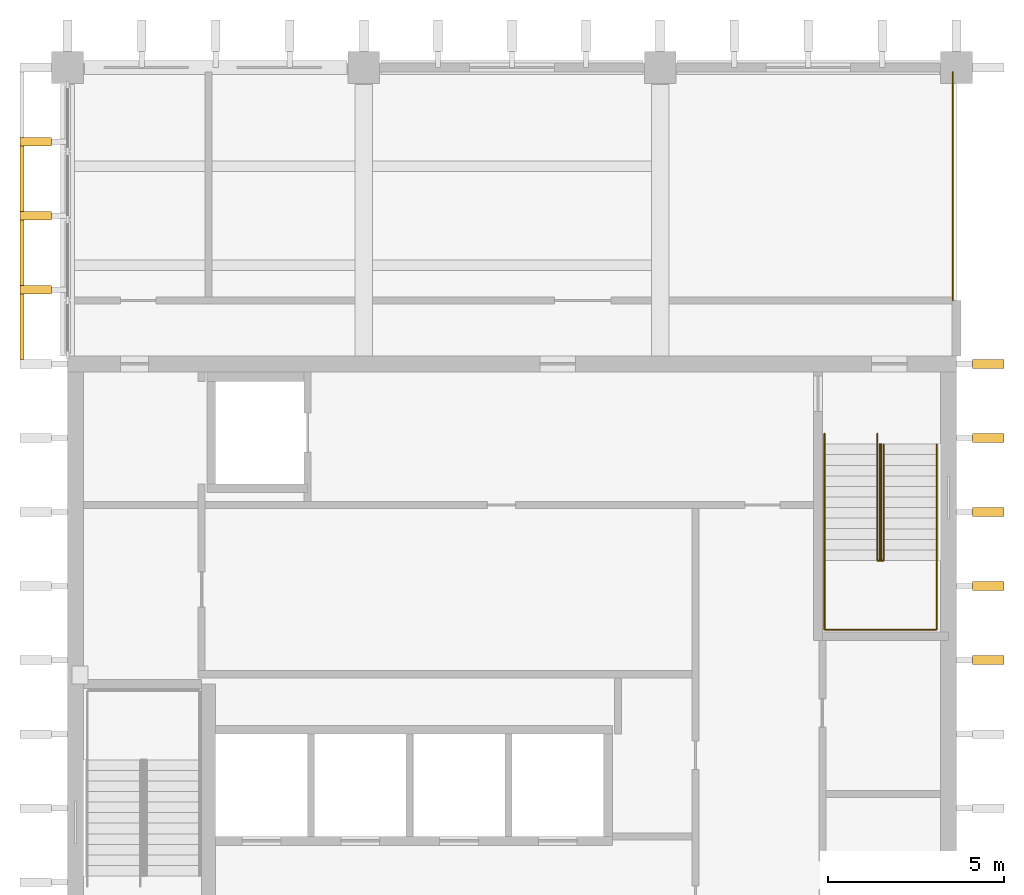
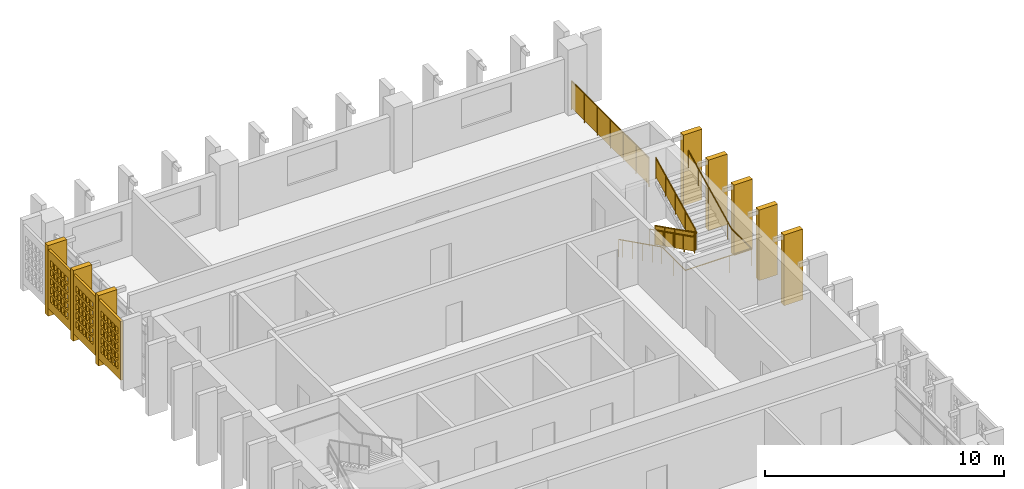
# One storey, part 11 of 13: 11 shading devices, 5 railings, 3 openings.
"""IFC4 building model written with IfcOpenShell, lengths in metres."""

from ifc_helpers import new_model, si_unit, direction, frame, origin, origin_2d, place, context, subcontext, project, spatial, polyline, rectangle, circle, outline, extrude, material, layer, layer_set, material_profile, profile_set, type_object, element, save


model = new_model("IFC4")

# Units and contexts
model_context = context("Model", 3, precision=1e-05, world=origin(), true_north=direction((0.0, 1.0)))
body_context = subcontext(model_context, "Body", "Model", "MODEL_VIEW")
ifc_project = project(units=[si_unit("LENGTHUNIT", "METRE"), si_unit("AREAUNIT", "SQUARE_METRE"), si_unit("VOLUMEUNIT", "CUBIC_METRE"), si_unit("PLANEANGLEUNIT", "RADIAN"), si_unit("MASSUNIT", "GRAM", prefix="KILO")], contexts=[model_context])

# Site, building, storey
site_placement = place(None, origin())
site = spatial("IfcSite", under=ifc_project, at=site_placement, CompositionType="ELEMENT")
building_placement = place(site_placement, origin())
building = spatial("IfcBuilding", under=site, at=building_placement, Name="Rulbaag Community and Learning Centre", CompositionType="ELEMENT")
storey_placement = place(building_placement, frame((0.0, 0.0, 25.199951171875)))
storey = spatial("IfcBuildingStorey", under=building, at=storey_placement, Name="L06", CompositionType="ELEMENT", Elevation=25.199951171875)

# Shading devices
ifc_material_1 = material(Name="Concrete M40", Category="concrete")
ifc_material_profile = material_profile(ifc_material_1, rectangle(XDim=0.25, YDim=0.89990234375, at=origin_2d()), Name="PC 250x900")
ifc_profile_set = profile_set([ifc_material_profile], Name="Concrete M40")
shading_device_type_1 = type_object("IfcShadingDeviceType", Name="FIN-H", PredefinedType="JALOUSIE", material=ifc_profile_set)
for number, where, z_axis, x_axis, name in (
    (1, (141.89990234375, 111.300048828125, 0.0), (0.0, 0.0, 1.0), (0.0, 1.0, 0.0), "Precast fin"),
    (2, (141.89990234375, 113.39990234375, 0.0), (0.0, 0.0, 1.0), (0.0, 1.0, 0.0), "Precast fin"),
    (3, (141.89990234375, 115.5, 0.0), (0.0, 0.0, 1.0), (0.0, 1.0, 0.0), "Precast fin"),
    (4, (168.89990234375, 100.800048828125, 0.0), (0.0, 0.0, 1.0), (0.0, 1.0, 0.0), "Precast fin"),
    (5, (168.89990234375, 102.89990234375, 0.0), (0.0, 0.0, 1.0), (0.0, 1.0, 0.0), "Precast fin"),
    (6, (168.89990234375, 105.0, 0.0), (0.0, 0.0, 1.0), (0.0, 1.0, 0.0), "Precast fin"),
    (7, (168.89990234375, 107.10009765625, 0.0), (0.0, 0.0, 1.0), (0.0, 1.0, 0.0), "Precast fin"),
    (8, (168.89990234375, 109.199951171875, 0.0), (0.0, 0.0, 1.0), (0.0, 1.0, 0.0), "Precast fin"),
):
    element("IfcShadingDevice", number, at=place(storey_placement, frame(where, z_axis=z_axis, x_axis=x_axis)), inside=storey, type_object=shading_device_type_1, Name=name, PredefinedType="JALOUSIE", context=body_context, shape_type="SweptSolid", body=[
        extrude(rectangle(XDim=0.25, YDim=0.89990234375, at=origin_2d()), origin(), (0.0, 0.0, 1.0), 3.60009765625),
    ])

# Railings
ifc_material_2 = material(Name="Galvanised mild steel", Category="steel")
railing_type_1 = type_object("IfcRailingType", Name="GR-1100 GUARD 1100", PredefinedType="GUARDRAIL", material=ifc_material_2)
railing_1_placement = place(storey_placement, frame((165.830078125, 106.925048828125, 0.150146484375)))
element("IfcRailing", 9, at=railing_1_placement, inside=storey, type_object=railing_type_1, Name="Guard ST2 L06 G", PredefinedType="GUARDRAIL", context=body_context, shape_type="SweptSolid", body=[
    extrude(circle(Radius=0.02490234375, at=origin_2d()), frame((0.0, 0.0, 1.0751953125), z_axis=(0.0, -0.894440424912, 0.447187126696), x_axis=(1.0, 0.0, 0.0)), (0.0, 0.0, 1.0), 3.689453125),
    extrude(circle(Radius=0.02001953125, at=origin_2d()), origin(), (0.0, 0.0, 1.0), 1.050048828125),
    extrude(circle(Radius=0.02001953125, at=origin_2d()), frame((0.0, -0.824951171875, 0.41259765625)), (0.0, 0.0, 1.0), 1.050048828125),
    extrude(circle(Radius=0.02001953125, at=origin_2d()), frame((0.0, -1.64990234375, 0.824951171875)), (0.0, 0.0, 1.0), 1.050048828125),
    extrude(circle(Radius=0.02001953125, at=origin_2d()), frame((0.0, -2.47509765625, 1.2373046875)), (0.0, 0.0, 1.0), 1.050048828125),
    extrude(circle(Radius=0.02001953125, at=origin_2d()), frame((0.0, -3.300048828125, 1.64990234375)), (0.0, 0.0, 1.0), 1.050048828125),
    extrude(outline(polyline([(0.0, 0.0), (3.300048828125, 1.64990234375), (3.300048828125, 2.599853515625), (0.0, 0.949951171875), (0.0, 0.0)])), frame((0.0048828125, 0.0, 0.10009765625), z_axis=(-1.0, 0.0, 0.0), x_axis=(0.0, -1.0, 0.0)), (0.0, 0.0, 1.0), 0.010009765625),
])
railing_2_placement = place(storey_placement, frame((165.8701171875, 103.625, 1.949951171875)))
element("IfcRailing", 10, at=railing_2_placement, inside=storey, type_object=railing_type_1, Name="Guard ST2 L06 G2", PredefinedType="GUARDRAIL", context=body_context, shape_type="SweptSolid", body=[
    extrude(circle(Radius=0.02490234375, at=origin_2d()), frame((0.0, 0.0, 1.0751953125), z_axis=(0.0, 0.894413956696, 0.447240063129), x_axis=(-1.0, 0.0, 0.0)), (0.0, 0.0, 1.0), 3.689697265625),
    extrude(circle(Radius=0.02001953125, at=origin_2d()), origin(), (0.0, 0.0, 1.0), 1.050048828125),
    extrude(circle(Radius=0.02001953125, at=origin_2d()), frame((0.0, 0.824951171875, 0.41259765625)), (0.0, 0.0, 1.0), 1.050048828125),
    extrude(circle(Radius=0.02001953125, at=origin_2d()), frame((0.0, 1.64990234375, 0.8251953125)), (0.0, 0.0, 1.0), 1.050048828125),
    extrude(circle(Radius=0.02001953125, at=origin_2d()), frame((0.0, 2.47509765625, 1.237548828125)), (0.0, 0.0, 1.0), 1.050048828125),
    extrude(circle(Radius=0.02001953125, at=origin_2d()), frame((0.0, 3.300048828125, 1.650146484375)), (0.0, 0.0, 1.0), 1.050048828125),
    extrude(outline(polyline([(0.0, 0.0), (3.300048828125, 1.650146484375), (3.300048828125, 2.60009765625), (0.0, 0.949951171875), (0.0, 0.0)])), frame((-0.0048828125, 0.0, 0.10009765625), z_axis=(1.0, 0.0, 0.0), x_axis=(0.0, 1.0, 0.0)), (0.0, 0.0, 1.0), 0.010009765625),
])
ifc_material_3 = material(Name="Stainless steel grade 316", Category="steel")
railing_type_2 = type_object("IfcRailingType", Name="HR-900 HANDRAIL 900", PredefinedType="HANDRAIL", material=ifc_material_3)
railing_3_placement = place(storey_placement, frame((164.260009765625, 107.22509765625, 0.0)))
element("IfcRailing", 11, at=railing_3_placement, inside=storey, type_object=railing_type_2, Name="Handrail ST2 L06 O", PredefinedType="HANDRAIL", context=body_context, shape_type="SweptSolid", body=[
    extrude(circle(Radius=0.024169921875, at=origin_2d()), frame((0.0, 0.0, 0.875732421875), z_axis=(0.0, -0.894281613681, 0.447504631744), x_axis=(1.0, 0.0, 0.0)), (0.0, 0.0, 1.0), 0.33544921875),
    extrude(circle(Radius=0.024169921875, at=origin_2d()), frame((0.0, -0.300048828125, 1.02587890625), z_axis=(0.0, -0.894440424912, 0.447187126696), x_axis=(1.0, 0.0, 0.0)), (0.0, 0.0, 1.0), 3.689453125),
    extrude(circle(Radius=0.024169921875, at=origin_2d()), frame((0.0, -3.60009765625, 2.67578125), z_axis=(0.0, -1.0, 0.0), x_axis=(1.0, 0.0, 0.0)), (0.0, 0.0, 1.0), 1.965087890625),
    extrude(circle(Radius=0.024169921875, at=origin_2d()), frame((0.0, -5.565185546875, 2.67578125), z_axis=(1.0, 0.0, 0.0), x_axis=(0.0, 1.0, 0.0)), (0.0, 0.0, 1.0), 3.179931640625),
    extrude(circle(Radius=0.024169921875, at=origin_2d()), frame((3.179931640625, -5.565185546875, 2.67578125), z_axis=(0.0, 1.0, 0.0), x_axis=(-1.0, 0.0, 0.0)), (0.0, 0.0, 1.0), 1.6650390625),
    extrude(circle(Radius=0.024169921875, at=origin_2d()), frame((3.179931640625, -3.900146484375, 2.67578125), z_axis=(0.0, 0.894572720946, 0.446922417137), x_axis=(-1.0, 0.0, 0.0)), (0.0, 0.0, 1.0), 0.33544921875),
    extrude(circle(Radius=0.024169921875, at=origin_2d()), frame((3.179931640625, -3.60009765625, 2.82568359375), z_axis=(0.0, 0.894413956696, 0.447240063129), x_axis=(-1.0, 0.0, 0.0)), (0.0, 0.0, 1.0), 3.689697265625),
    extrude(circle(Radius=0.008056640625, at=origin_2d()), origin(), (0.0, 0.0, 1.0), 0.8515625),
    extrude(circle(Radius=0.008056640625, at=origin_2d()), frame((0.0, -0.300048828125, 0.150146484375)), (0.0, 0.0, 1.0), 0.8515625),
    extrude(circle(Radius=0.008056640625, at=origin_2d()), frame((0.0, -1.125, 0.5625)), (0.0, 0.0, 1.0), 0.8515625),
    extrude(circle(Radius=0.008056640625, at=origin_2d()), frame((0.0, -1.9501953125, 0.97509765625)), (0.0, 0.0, 1.0), 0.8515625),
    extrude(circle(Radius=0.008056640625, at=origin_2d()), frame((0.0, -2.775146484375, 1.3876953125)), (0.0, 0.0, 1.0), 0.8515625),
    extrude(circle(Radius=0.008056640625, at=origin_2d()), frame((0.0, -3.60009765625, 1.800048828125)), (0.0, 0.0, 1.0), 0.8515625),
    extrude(circle(Radius=0.008056640625, at=origin_2d()), frame((0.0, -4.58251953125, 1.800048828125)), (0.0, 0.0, 1.0), 0.8515625),
    extrude(circle(Radius=0.008056640625, at=origin_2d()), frame((0.0, -5.565185546875, 1.800048828125)), (0.0, 0.0, 1.0), 0.8515625),
    extrude(circle(Radius=0.008056640625, at=origin_2d()), frame((1.06005859375, -5.565185546875, 1.800048828125)), (0.0, 0.0, 1.0), 0.8515625),
    extrude(circle(Radius=0.008056640625, at=origin_2d()), frame((2.119873046875, -5.565185546875, 1.800048828125)), (0.0, 0.0, 1.0), 0.8515625),
    extrude(circle(Radius=0.008056640625, at=origin_2d()), frame((3.179931640625, -5.565185546875, 1.800048828125)), (0.0, 0.0, 1.0), 0.8515625),
    extrude(circle(Radius=0.008056640625, at=origin_2d()), frame((3.179931640625, -4.732666015625, 1.800048828125)), (0.0, 0.0, 1.0), 0.8515625),
    extrude(circle(Radius=0.008056640625, at=origin_2d()), frame((3.179931640625, -3.900146484375, 1.800048828125)), (0.0, 0.0, 1.0), 0.8515625),
    extrude(circle(Radius=0.008056640625, at=origin_2d()), frame((3.179931640625, -3.60009765625, 1.949951171875)), (0.0, 0.0, 1.0), 0.8515625),
    extrude(circle(Radius=0.008056640625, at=origin_2d()), frame((3.179931640625, -2.775146484375, 2.362548828125)), (0.0, 0.0, 1.0), 0.8515625),
    extrude(circle(Radius=0.008056640625, at=origin_2d()), frame((3.179931640625, -1.9501953125, 2.77490234375)), (0.0, 0.0, 1.0), 0.8515625),
    extrude(circle(Radius=0.008056640625, at=origin_2d()), frame((3.179931640625, -1.125, 3.1875)), (0.0, 0.0, 1.0), 0.8515625),
    extrude(circle(Radius=0.008056640625, at=origin_2d()), frame((3.179931640625, -0.300048828125, 3.60009765625)), (0.0, 0.0, 1.0), 0.8515625),
])
railing_4_placement = place(storey_placement, frame((165.760009765625, 107.22509765625, 0.0)))
element("IfcRailing", 12, at=railing_4_placement, inside=storey, type_object=railing_type_2, Name="Handrail ST2 L06 I", PredefinedType="HANDRAIL", context=body_context, shape_type="SweptSolid", body=[
    extrude(circle(Radius=0.024169921875, at=origin_2d()), frame((0.0, 0.0, 0.875732421875), z_axis=(0.0, -0.894281613681, 0.447504631744), x_axis=(1.0, 0.0, 0.0)), (0.0, 0.0, 1.0), 0.33544921875),
    extrude(circle(Radius=0.024169921875, at=origin_2d()), frame((0.0, -0.300048828125, 1.02587890625), z_axis=(0.0, -0.894440424912, 0.447187126696), x_axis=(1.0, 0.0, 0.0)), (0.0, 0.0, 1.0), 3.689453125),
    extrude(circle(Radius=0.024169921875, at=origin_2d()), frame((0.0, -3.60009765625, 2.67578125), z_axis=(0.768306721819, 0.0, 0.640081855084), x_axis=(0.0, 1.0, 0.0)), (0.0, 0.0, 1.0), 0.234130859375),
    extrude(circle(Radius=0.024169921875, at=origin_2d()), frame((0.179931640625, -3.60009765625, 2.82568359375), z_axis=(0.0, 0.894413956696, 0.447240063129), x_axis=(-1.0, 0.0, 0.0)), (0.0, 0.0, 1.0), 3.689697265625),
    extrude(circle(Radius=0.008056640625, at=origin_2d()), origin(), (0.0, 0.0, 1.0), 0.8515625),
    extrude(circle(Radius=0.008056640625, at=origin_2d()), frame((0.0, -0.300048828125, 0.150146484375)), (0.0, 0.0, 1.0), 0.8515625),
    extrude(circle(Radius=0.008056640625, at=origin_2d()), frame((0.0, -1.125, 0.5625)), (0.0, 0.0, 1.0), 0.8515625),
    extrude(circle(Radius=0.008056640625, at=origin_2d()), frame((0.0, -1.9501953125, 0.97509765625)), (0.0, 0.0, 1.0), 0.8515625),
    extrude(circle(Radius=0.008056640625, at=origin_2d()), frame((0.0, -2.775146484375, 1.3876953125)), (0.0, 0.0, 1.0), 0.8515625),
    extrude(circle(Radius=0.008056640625, at=origin_2d()), frame((0.0, -3.60009765625, 1.800048828125)), (0.0, 0.0, 1.0), 0.8515625),
    extrude(circle(Radius=0.008056640625, at=origin_2d()), frame((0.179931640625, -3.60009765625, 1.949951171875)), (0.0, 0.0, 1.0), 0.8515625),
    extrude(circle(Radius=0.008056640625, at=origin_2d()), frame((0.179931640625, -2.775146484375, 2.362548828125)), (0.0, 0.0, 1.0), 0.8515625),
    extrude(circle(Radius=0.008056640625, at=origin_2d()), frame((0.179931640625, -1.9501953125, 2.77490234375)), (0.0, 0.0, 1.0), 0.8515625),
    extrude(circle(Radius=0.008056640625, at=origin_2d()), frame((0.179931640625, -1.125, 3.1875)), (0.0, 0.0, 1.0), 0.8515625),
    extrude(circle(Radius=0.008056640625, at=origin_2d()), frame((0.179931640625, -0.300048828125, 3.60009765625)), (0.0, 0.0, 1.0), 0.8515625),
])

# Shading device, opening
ifc_layer = layer(ifc_material_1, 0.1201171875)
ifc_layer_set = layer_set([ifc_layer], Name="JB-83")
shading_device_type_2 = type_object("IfcShadingDeviceType", Name="JB-83", PredefinedType="SHUTTER", material=ifc_layer_set)
shading_device_1_placement = place(storey_placement, frame((141.510009765625, 110.25, 0.400146484375), z_axis=(0.0, 0.0, 1.0), x_axis=(1.0, 0.0, 0.0)))
shading_device_1 = element("IfcShadingDevice", 13, at=shading_device_1_placement, inside=storey, type_object=shading_device_type_2, Name="Jaali screen", PredefinedType="SHUTTER", context=body_context, shape_type="SweptSolid", body=[
    extrude(rectangle(XDim=0.1201171875, YDim=1.85009765625, at=origin_2d()), origin(), (0.0, 0.0, 1.0), 3.0),
])
opening_1_placement = place(shading_device_1_placement, origin())
element("IfcOpeningElement", 14, at=opening_1_placement, cuts=shading_device_1, Name="Perforation JB1", PredefinedType="OPENING", context=body_context, shape_type="SweptSolid", body=[
    extrude(rectangle(XDim=0.22509765625, YDim=0.340087890625, at=origin_2d()), frame((-0.070068359375, -0.60009765625, 0.60009765625), z_axis=(1.0, 0.0, 0.0), x_axis=(0.0, 1.0, 0.0)), (0.0, 0.0, 1.0), 0.139892578125),
    extrude(rectangle(XDim=0.22509765625, YDim=0.340087890625, at=origin_2d()), frame((-0.070068359375, -0.300048828125, 0.60009765625), z_axis=(1.0, 0.0, 0.0), x_axis=(0.0, 1.0, 0.0)), (0.0, 0.0, 1.0), 0.139892578125),
    extrude(rectangle(XDim=0.22509765625, YDim=0.340087890625, at=origin_2d()), frame((-0.070068359375, 0.0, 0.60009765625), z_axis=(1.0, 0.0, 0.0), x_axis=(0.0, 1.0, 0.0)), (0.0, 0.0, 1.0), 0.139892578125),
    extrude(rectangle(XDim=0.22509765625, YDim=0.340087890625, at=origin_2d()), frame((-0.070068359375, 0.300048828125, 0.60009765625), z_axis=(1.0, 0.0, 0.0), x_axis=(0.0, 1.0, 0.0)), (0.0, 0.0, 1.0), 0.139892578125),
    extrude(rectangle(XDim=0.22509765625, YDim=0.340087890625, at=origin_2d()), frame((-0.070068359375, 0.60009765625, 0.60009765625), z_axis=(1.0, 0.0, 0.0), x_axis=(0.0, 1.0, 0.0)), (0.0, 0.0, 1.0), 0.139892578125),
    extrude(rectangle(XDim=0.22509765625, YDim=0.340087890625, at=origin_2d()), frame((-0.070068359375, -0.60009765625, 1.050048828125), z_axis=(1.0, 0.0, 0.0), x_axis=(0.0, 1.0, 0.0)), (0.0, 0.0, 1.0), 0.139892578125),
    extrude(rectangle(XDim=0.22509765625, YDim=0.340087890625, at=origin_2d()), frame((-0.070068359375, -0.300048828125, 1.050048828125), z_axis=(1.0, 0.0, 0.0), x_axis=(0.0, 1.0, 0.0)), (0.0, 0.0, 1.0), 0.139892578125),
    extrude(rectangle(XDim=0.22509765625, YDim=0.340087890625, at=origin_2d()), frame((-0.070068359375, 0.0, 1.050048828125), z_axis=(1.0, 0.0, 0.0), x_axis=(0.0, 1.0, 0.0)), (0.0, 0.0, 1.0), 0.139892578125),
    extrude(rectangle(XDim=0.22509765625, YDim=0.340087890625, at=origin_2d()), frame((-0.070068359375, 0.300048828125, 1.050048828125), z_axis=(1.0, 0.0, 0.0), x_axis=(0.0, 1.0, 0.0)), (0.0, 0.0, 1.0), 0.139892578125),
    extrude(rectangle(XDim=0.22509765625, YDim=0.340087890625, at=origin_2d()), frame((-0.070068359375, 0.60009765625, 1.050048828125), z_axis=(1.0, 0.0, 0.0), x_axis=(0.0, 1.0, 0.0)), (0.0, 0.0, 1.0), 0.139892578125),
    extrude(rectangle(XDim=0.22509765625, YDim=0.340087890625, at=origin_2d()), frame((-0.070068359375, -0.60009765625, 1.5), z_axis=(1.0, 0.0, 0.0), x_axis=(0.0, 1.0, 0.0)), (0.0, 0.0, 1.0), 0.139892578125),
    extrude(rectangle(XDim=0.22509765625, YDim=0.340087890625, at=origin_2d()), frame((-0.070068359375, -0.300048828125, 1.5), z_axis=(1.0, 0.0, 0.0), x_axis=(0.0, 1.0, 0.0)), (0.0, 0.0, 1.0), 0.139892578125),
    extrude(rectangle(XDim=0.22509765625, YDim=0.340087890625, at=origin_2d()), frame((-0.070068359375, 0.0, 1.5), z_axis=(1.0, 0.0, 0.0), x_axis=(0.0, 1.0, 0.0)), (0.0, 0.0, 1.0), 0.139892578125),
    extrude(rectangle(XDim=0.22509765625, YDim=0.340087890625, at=origin_2d()), frame((-0.070068359375, 0.300048828125, 1.5), z_axis=(1.0, 0.0, 0.0), x_axis=(0.0, 1.0, 0.0)), (0.0, 0.0, 1.0), 0.139892578125),
    extrude(rectangle(XDim=0.22509765625, YDim=0.340087890625, at=origin_2d()), frame((-0.070068359375, 0.60009765625, 1.5), z_axis=(1.0, 0.0, 0.0), x_axis=(0.0, 1.0, 0.0)), (0.0, 0.0, 1.0), 0.139892578125),
    extrude(rectangle(XDim=0.22509765625, YDim=0.340087890625, at=origin_2d()), frame((-0.070068359375, -0.60009765625, 1.949951171875), z_axis=(1.0, 0.0, 0.0), x_axis=(0.0, 1.0, 0.0)), (0.0, 0.0, 1.0), 0.139892578125),
    extrude(rectangle(XDim=0.22509765625, YDim=0.340087890625, at=origin_2d()), frame((-0.070068359375, -0.300048828125, 1.949951171875), z_axis=(1.0, 0.0, 0.0), x_axis=(0.0, 1.0, 0.0)), (0.0, 0.0, 1.0), 0.139892578125),
    extrude(rectangle(XDim=0.22509765625, YDim=0.340087890625, at=origin_2d()), frame((-0.070068359375, 0.0, 1.949951171875), z_axis=(1.0, 0.0, 0.0), x_axis=(0.0, 1.0, 0.0)), (0.0, 0.0, 1.0), 0.139892578125),
    extrude(rectangle(XDim=0.22509765625, YDim=0.340087890625, at=origin_2d()), frame((-0.070068359375, 0.300048828125, 1.949951171875), z_axis=(1.0, 0.0, 0.0), x_axis=(0.0, 1.0, 0.0)), (0.0, 0.0, 1.0), 0.139892578125),
    extrude(rectangle(XDim=0.22509765625, YDim=0.340087890625, at=origin_2d()), frame((-0.070068359375, 0.60009765625, 1.949951171875), z_axis=(1.0, 0.0, 0.0), x_axis=(0.0, 1.0, 0.0)), (0.0, 0.0, 1.0), 0.139892578125),
    extrude(rectangle(XDim=0.22509765625, YDim=0.340087890625, at=origin_2d()), frame((-0.070068359375, -0.60009765625, 2.39990234375), z_axis=(1.0, 0.0, 0.0), x_axis=(0.0, 1.0, 0.0)), (0.0, 0.0, 1.0), 0.139892578125),
    extrude(rectangle(XDim=0.22509765625, YDim=0.340087890625, at=origin_2d()), frame((-0.070068359375, -0.300048828125, 2.39990234375), z_axis=(1.0, 0.0, 0.0), x_axis=(0.0, 1.0, 0.0)), (0.0, 0.0, 1.0), 0.139892578125),
    extrude(rectangle(XDim=0.22509765625, YDim=0.340087890625, at=origin_2d()), frame((-0.070068359375, 0.0, 2.39990234375), z_axis=(1.0, 0.0, 0.0), x_axis=(0.0, 1.0, 0.0)), (0.0, 0.0, 1.0), 0.139892578125),
    extrude(rectangle(XDim=0.22509765625, YDim=0.340087890625, at=origin_2d()), frame((-0.070068359375, 0.300048828125, 2.39990234375), z_axis=(1.0, 0.0, 0.0), x_axis=(0.0, 1.0, 0.0)), (0.0, 0.0, 1.0), 0.139892578125),
    extrude(rectangle(XDim=0.22509765625, YDim=0.340087890625, at=origin_2d()), frame((-0.070068359375, 0.60009765625, 2.39990234375), z_axis=(1.0, 0.0, 0.0), x_axis=(0.0, 1.0, 0.0)), (0.0, 0.0, 1.0), 0.139892578125),
])

shading_device_2_placement = place(storey_placement, frame((141.510009765625, 112.35009765625, 0.400146484375), z_axis=(0.0, 0.0, 1.0), x_axis=(1.0, 0.0, 0.0)))
shading_device_2 = element("IfcShadingDevice", 15, at=shading_device_2_placement, inside=storey, type_object=shading_device_type_2, Name="Jaali screen", PredefinedType="SHUTTER", context=body_context, shape_type="SweptSolid", body=[
    extrude(rectangle(XDim=0.1201171875, YDim=1.85009765625, at=origin_2d()), origin(), (0.0, 0.0, 1.0), 3.0),
])
opening_2_placement = place(shading_device_2_placement, origin())
element("IfcOpeningElement", 16, at=opening_2_placement, cuts=shading_device_2, Name="Perforation JB1", PredefinedType="OPENING", context=body_context, shape_type="SweptSolid", body=[
    extrude(rectangle(XDim=0.22509765625, YDim=0.340087890625, at=origin_2d()), frame((-0.070068359375, -0.60009765625, 0.60009765625), z_axis=(1.0, 0.0, 0.0), x_axis=(0.0, 1.0, 0.0)), (0.0, 0.0, 1.0), 0.139892578125),
    extrude(rectangle(XDim=0.22509765625, YDim=0.340087890625, at=origin_2d()), frame((-0.070068359375, -0.300048828125, 0.60009765625), z_axis=(1.0, 0.0, 0.0), x_axis=(0.0, 1.0, 0.0)), (0.0, 0.0, 1.0), 0.139892578125),
    extrude(rectangle(XDim=0.22509765625, YDim=0.340087890625, at=origin_2d()), frame((-0.070068359375, 0.0, 0.60009765625), z_axis=(1.0, 0.0, 0.0), x_axis=(0.0, 1.0, 0.0)), (0.0, 0.0, 1.0), 0.139892578125),
    extrude(rectangle(XDim=0.22509765625, YDim=0.340087890625, at=origin_2d()), frame((-0.070068359375, 0.300048828125, 0.60009765625), z_axis=(1.0, 0.0, 0.0), x_axis=(0.0, 1.0, 0.0)), (0.0, 0.0, 1.0), 0.139892578125),
    extrude(rectangle(XDim=0.22509765625, YDim=0.340087890625, at=origin_2d()), frame((-0.070068359375, 0.60009765625, 0.60009765625), z_axis=(1.0, 0.0, 0.0), x_axis=(0.0, 1.0, 0.0)), (0.0, 0.0, 1.0), 0.139892578125),
    extrude(rectangle(XDim=0.22509765625, YDim=0.340087890625, at=origin_2d()), frame((-0.070068359375, -0.60009765625, 1.050048828125), z_axis=(1.0, 0.0, 0.0), x_axis=(0.0, 1.0, 0.0)), (0.0, 0.0, 1.0), 0.139892578125),
    extrude(rectangle(XDim=0.22509765625, YDim=0.340087890625, at=origin_2d()), frame((-0.070068359375, -0.300048828125, 1.050048828125), z_axis=(1.0, 0.0, 0.0), x_axis=(0.0, 1.0, 0.0)), (0.0, 0.0, 1.0), 0.139892578125),
    extrude(rectangle(XDim=0.22509765625, YDim=0.340087890625, at=origin_2d()), frame((-0.070068359375, 0.0, 1.050048828125), z_axis=(1.0, 0.0, 0.0), x_axis=(0.0, 1.0, 0.0)), (0.0, 0.0, 1.0), 0.139892578125),
    extrude(rectangle(XDim=0.22509765625, YDim=0.340087890625, at=origin_2d()), frame((-0.070068359375, 0.300048828125, 1.050048828125), z_axis=(1.0, 0.0, 0.0), x_axis=(0.0, 1.0, 0.0)), (0.0, 0.0, 1.0), 0.139892578125),
    extrude(rectangle(XDim=0.22509765625, YDim=0.340087890625, at=origin_2d()), frame((-0.070068359375, 0.60009765625, 1.050048828125), z_axis=(1.0, 0.0, 0.0), x_axis=(0.0, 1.0, 0.0)), (0.0, 0.0, 1.0), 0.139892578125),
    extrude(rectangle(XDim=0.22509765625, YDim=0.340087890625, at=origin_2d()), frame((-0.070068359375, -0.60009765625, 1.5), z_axis=(1.0, 0.0, 0.0), x_axis=(0.0, 1.0, 0.0)), (0.0, 0.0, 1.0), 0.139892578125),
    extrude(rectangle(XDim=0.22509765625, YDim=0.340087890625, at=origin_2d()), frame((-0.070068359375, -0.300048828125, 1.5), z_axis=(1.0, 0.0, 0.0), x_axis=(0.0, 1.0, 0.0)), (0.0, 0.0, 1.0), 0.139892578125),
    extrude(rectangle(XDim=0.22509765625, YDim=0.340087890625, at=origin_2d()), frame((-0.070068359375, 0.0, 1.5), z_axis=(1.0, 0.0, 0.0), x_axis=(0.0, 1.0, 0.0)), (0.0, 0.0, 1.0), 0.139892578125),
    extrude(rectangle(XDim=0.22509765625, YDim=0.340087890625, at=origin_2d()), frame((-0.070068359375, 0.300048828125, 1.5), z_axis=(1.0, 0.0, 0.0), x_axis=(0.0, 1.0, 0.0)), (0.0, 0.0, 1.0), 0.139892578125),
    extrude(rectangle(XDim=0.22509765625, YDim=0.340087890625, at=origin_2d()), frame((-0.070068359375, 0.60009765625, 1.5), z_axis=(1.0, 0.0, 0.0), x_axis=(0.0, 1.0, 0.0)), (0.0, 0.0, 1.0), 0.139892578125),
    extrude(rectangle(XDim=0.22509765625, YDim=0.340087890625, at=origin_2d()), frame((-0.070068359375, -0.60009765625, 1.949951171875), z_axis=(1.0, 0.0, 0.0), x_axis=(0.0, 1.0, 0.0)), (0.0, 0.0, 1.0), 0.139892578125),
    extrude(rectangle(XDim=0.22509765625, YDim=0.340087890625, at=origin_2d()), frame((-0.070068359375, -0.300048828125, 1.949951171875), z_axis=(1.0, 0.0, 0.0), x_axis=(0.0, 1.0, 0.0)), (0.0, 0.0, 1.0), 0.139892578125),
    extrude(rectangle(XDim=0.22509765625, YDim=0.340087890625, at=origin_2d()), frame((-0.070068359375, 0.0, 1.949951171875), z_axis=(1.0, 0.0, 0.0), x_axis=(0.0, 1.0, 0.0)), (0.0, 0.0, 1.0), 0.139892578125),
    extrude(rectangle(XDim=0.22509765625, YDim=0.340087890625, at=origin_2d()), frame((-0.070068359375, 0.300048828125, 1.949951171875), z_axis=(1.0, 0.0, 0.0), x_axis=(0.0, 1.0, 0.0)), (0.0, 0.0, 1.0), 0.139892578125),
    extrude(rectangle(XDim=0.22509765625, YDim=0.340087890625, at=origin_2d()), frame((-0.070068359375, 0.60009765625, 1.949951171875), z_axis=(1.0, 0.0, 0.0), x_axis=(0.0, 1.0, 0.0)), (0.0, 0.0, 1.0), 0.139892578125),
    extrude(rectangle(XDim=0.22509765625, YDim=0.340087890625, at=origin_2d()), frame((-0.070068359375, -0.60009765625, 2.39990234375), z_axis=(1.0, 0.0, 0.0), x_axis=(0.0, 1.0, 0.0)), (0.0, 0.0, 1.0), 0.139892578125),
    extrude(rectangle(XDim=0.22509765625, YDim=0.340087890625, at=origin_2d()), frame((-0.070068359375, -0.300048828125, 2.39990234375), z_axis=(1.0, 0.0, 0.0), x_axis=(0.0, 1.0, 0.0)), (0.0, 0.0, 1.0), 0.139892578125),
    extrude(rectangle(XDim=0.22509765625, YDim=0.340087890625, at=origin_2d()), frame((-0.070068359375, 0.0, 2.39990234375), z_axis=(1.0, 0.0, 0.0), x_axis=(0.0, 1.0, 0.0)), (0.0, 0.0, 1.0), 0.139892578125),
    extrude(rectangle(XDim=0.22509765625, YDim=0.340087890625, at=origin_2d()), frame((-0.070068359375, 0.300048828125, 2.39990234375), z_axis=(1.0, 0.0, 0.0), x_axis=(0.0, 1.0, 0.0)), (0.0, 0.0, 1.0), 0.139892578125),
    extrude(rectangle(XDim=0.22509765625, YDim=0.340087890625, at=origin_2d()), frame((-0.070068359375, 0.60009765625, 2.39990234375), z_axis=(1.0, 0.0, 0.0), x_axis=(0.0, 1.0, 0.0)), (0.0, 0.0, 1.0), 0.139892578125),
])

shading_device_3_placement = place(storey_placement, frame((141.510009765625, 114.449951171875, 0.400146484375), z_axis=(0.0, 0.0, 1.0), x_axis=(1.0, 0.0, 0.0)))
shading_device_3 = element("IfcShadingDevice", 17, at=shading_device_3_placement, inside=storey, type_object=shading_device_type_2, Name="Jaali screen", PredefinedType="SHUTTER", context=body_context, shape_type="SweptSolid", body=[
    extrude(rectangle(XDim=0.1201171875, YDim=1.85009765625, at=origin_2d()), origin(), (0.0, 0.0, 1.0), 3.0),
])
opening_3_placement = place(shading_device_3_placement, origin())
element("IfcOpeningElement", 18, at=opening_3_placement, cuts=shading_device_3, Name="Perforation JB1", PredefinedType="OPENING", context=body_context, shape_type="SweptSolid", body=[
    extrude(rectangle(XDim=0.22509765625, YDim=0.340087890625, at=origin_2d()), frame((-0.070068359375, -0.60009765625, 0.60009765625), z_axis=(1.0, 0.0, 0.0), x_axis=(0.0, 1.0, 0.0)), (0.0, 0.0, 1.0), 0.139892578125),
    extrude(rectangle(XDim=0.22509765625, YDim=0.340087890625, at=origin_2d()), frame((-0.070068359375, -0.300048828125, 0.60009765625), z_axis=(1.0, 0.0, 0.0), x_axis=(0.0, 1.0, 0.0)), (0.0, 0.0, 1.0), 0.139892578125),
    extrude(rectangle(XDim=0.22509765625, YDim=0.340087890625, at=origin_2d()), frame((-0.070068359375, 0.0, 0.60009765625), z_axis=(1.0, 0.0, 0.0), x_axis=(0.0, 1.0, 0.0)), (0.0, 0.0, 1.0), 0.139892578125),
    extrude(rectangle(XDim=0.22509765625, YDim=0.340087890625, at=origin_2d()), frame((-0.070068359375, 0.300048828125, 0.60009765625), z_axis=(1.0, 0.0, 0.0), x_axis=(0.0, 1.0, 0.0)), (0.0, 0.0, 1.0), 0.139892578125),
    extrude(rectangle(XDim=0.22509765625, YDim=0.340087890625, at=origin_2d()), frame((-0.070068359375, 0.60009765625, 0.60009765625), z_axis=(1.0, 0.0, 0.0), x_axis=(0.0, 1.0, 0.0)), (0.0, 0.0, 1.0), 0.139892578125),
    extrude(rectangle(XDim=0.22509765625, YDim=0.340087890625, at=origin_2d()), frame((-0.070068359375, -0.60009765625, 1.050048828125), z_axis=(1.0, 0.0, 0.0), x_axis=(0.0, 1.0, 0.0)), (0.0, 0.0, 1.0), 0.139892578125),
    extrude(rectangle(XDim=0.22509765625, YDim=0.340087890625, at=origin_2d()), frame((-0.070068359375, -0.300048828125, 1.050048828125), z_axis=(1.0, 0.0, 0.0), x_axis=(0.0, 1.0, 0.0)), (0.0, 0.0, 1.0), 0.139892578125),
    extrude(rectangle(XDim=0.22509765625, YDim=0.340087890625, at=origin_2d()), frame((-0.070068359375, 0.0, 1.050048828125), z_axis=(1.0, 0.0, 0.0), x_axis=(0.0, 1.0, 0.0)), (0.0, 0.0, 1.0), 0.139892578125),
    extrude(rectangle(XDim=0.22509765625, YDim=0.340087890625, at=origin_2d()), frame((-0.070068359375, 0.300048828125, 1.050048828125), z_axis=(1.0, 0.0, 0.0), x_axis=(0.0, 1.0, 0.0)), (0.0, 0.0, 1.0), 0.139892578125),
    extrude(rectangle(XDim=0.22509765625, YDim=0.340087890625, at=origin_2d()), frame((-0.070068359375, 0.60009765625, 1.050048828125), z_axis=(1.0, 0.0, 0.0), x_axis=(0.0, 1.0, 0.0)), (0.0, 0.0, 1.0), 0.139892578125),
    extrude(rectangle(XDim=0.22509765625, YDim=0.340087890625, at=origin_2d()), frame((-0.070068359375, -0.60009765625, 1.5), z_axis=(1.0, 0.0, 0.0), x_axis=(0.0, 1.0, 0.0)), (0.0, 0.0, 1.0), 0.139892578125),
    extrude(rectangle(XDim=0.22509765625, YDim=0.340087890625, at=origin_2d()), frame((-0.070068359375, -0.300048828125, 1.5), z_axis=(1.0, 0.0, 0.0), x_axis=(0.0, 1.0, 0.0)), (0.0, 0.0, 1.0), 0.139892578125),
    extrude(rectangle(XDim=0.22509765625, YDim=0.340087890625, at=origin_2d()), frame((-0.070068359375, 0.0, 1.5), z_axis=(1.0, 0.0, 0.0), x_axis=(0.0, 1.0, 0.0)), (0.0, 0.0, 1.0), 0.139892578125),
    extrude(rectangle(XDim=0.22509765625, YDim=0.340087890625, at=origin_2d()), frame((-0.070068359375, 0.300048828125, 1.5), z_axis=(1.0, 0.0, 0.0), x_axis=(0.0, 1.0, 0.0)), (0.0, 0.0, 1.0), 0.139892578125),
    extrude(rectangle(XDim=0.22509765625, YDim=0.340087890625, at=origin_2d()), frame((-0.070068359375, 0.60009765625, 1.5), z_axis=(1.0, 0.0, 0.0), x_axis=(0.0, 1.0, 0.0)), (0.0, 0.0, 1.0), 0.139892578125),
    extrude(rectangle(XDim=0.22509765625, YDim=0.340087890625, at=origin_2d()), frame((-0.070068359375, -0.60009765625, 1.949951171875), z_axis=(1.0, 0.0, 0.0), x_axis=(0.0, 1.0, 0.0)), (0.0, 0.0, 1.0), 0.139892578125),
    extrude(rectangle(XDim=0.22509765625, YDim=0.340087890625, at=origin_2d()), frame((-0.070068359375, -0.300048828125, 1.949951171875), z_axis=(1.0, 0.0, 0.0), x_axis=(0.0, 1.0, 0.0)), (0.0, 0.0, 1.0), 0.139892578125),
    extrude(rectangle(XDim=0.22509765625, YDim=0.340087890625, at=origin_2d()), frame((-0.070068359375, 0.0, 1.949951171875), z_axis=(1.0, 0.0, 0.0), x_axis=(0.0, 1.0, 0.0)), (0.0, 0.0, 1.0), 0.139892578125),
    extrude(rectangle(XDim=0.22509765625, YDim=0.340087890625, at=origin_2d()), frame((-0.070068359375, 0.300048828125, 1.949951171875), z_axis=(1.0, 0.0, 0.0), x_axis=(0.0, 1.0, 0.0)), (0.0, 0.0, 1.0), 0.139892578125),
    extrude(rectangle(XDim=0.22509765625, YDim=0.340087890625, at=origin_2d()), frame((-0.070068359375, 0.60009765625, 1.949951171875), z_axis=(1.0, 0.0, 0.0), x_axis=(0.0, 1.0, 0.0)), (0.0, 0.0, 1.0), 0.139892578125),
    extrude(rectangle(XDim=0.22509765625, YDim=0.340087890625, at=origin_2d()), frame((-0.070068359375, -0.60009765625, 2.39990234375), z_axis=(1.0, 0.0, 0.0), x_axis=(0.0, 1.0, 0.0)), (0.0, 0.0, 1.0), 0.139892578125),
    extrude(rectangle(XDim=0.22509765625, YDim=0.340087890625, at=origin_2d()), frame((-0.070068359375, -0.300048828125, 2.39990234375), z_axis=(1.0, 0.0, 0.0), x_axis=(0.0, 1.0, 0.0)), (0.0, 0.0, 1.0), 0.139892578125),
    extrude(rectangle(XDim=0.22509765625, YDim=0.340087890625, at=origin_2d()), frame((-0.070068359375, 0.0, 2.39990234375), z_axis=(1.0, 0.0, 0.0), x_axis=(0.0, 1.0, 0.0)), (0.0, 0.0, 1.0), 0.139892578125),
    extrude(rectangle(XDim=0.22509765625, YDim=0.340087890625, at=origin_2d()), frame((-0.070068359375, 0.300048828125, 2.39990234375), z_axis=(1.0, 0.0, 0.0), x_axis=(0.0, 1.0, 0.0)), (0.0, 0.0, 1.0), 0.139892578125),
    extrude(rectangle(XDim=0.22509765625, YDim=0.340087890625, at=origin_2d()), frame((-0.070068359375, 0.60009765625, 2.39990234375), z_axis=(1.0, 0.0, 0.0), x_axis=(0.0, 1.0, 0.0)), (0.0, 0.0, 1.0), 0.139892578125),
])

# Railing
railing_type_3 = type_object("IfcRailingType", Name="RL-150", PredefinedType="GUARDRAIL", material=ifc_material_2)
railing_5_placement = place(storey_placement, frame((167.89990234375, 111.0, 0.0)))
element("IfcRailing", 19, at=railing_5_placement, inside=storey, type_object=railing_type_3, Name="Refuge guard", PredefinedType="GUARDRAIL", context=body_context, shape_type="SweptSolid", body=[
    extrude(circle(Radius=0.02490234375, at=origin_2d()), frame((0.0, 0.0, 1.47509765625), z_axis=(0.0, 1.0, 0.0), x_axis=(-1.0, 0.0, 0.0)), (0.0, 0.0, 1.0), 6.47509765625),
    extrude(circle(Radius=0.02001953125, at=origin_2d()), origin(), (0.0, 0.0, 1.0), 1.449951171875),
    extrude(circle(Radius=0.02001953125, at=origin_2d()), frame((0.0, 1.0791015625, 0.0)), (0.0, 0.0, 1.0), 1.449951171875),
    extrude(circle(Radius=0.02001953125, at=origin_2d()), frame((0.0, 2.158447265625, 0.0)), (0.0, 0.0, 1.0), 1.449951171875),
    extrude(circle(Radius=0.02001953125, at=origin_2d()), frame((0.0, 3.237548828125, 0.0)), (0.0, 0.0, 1.0), 1.449951171875),
    extrude(circle(Radius=0.02001953125, at=origin_2d()), frame((0.0, 4.316650390625, 0.0)), (0.0, 0.0, 1.0), 1.449951171875),
    extrude(circle(Radius=0.02001953125, at=origin_2d()), frame((0.0, 5.39599609375, 0.0)), (0.0, 0.0, 1.0), 1.449951171875),
    extrude(circle(Radius=0.02001953125, at=origin_2d()), frame((0.0, 6.47509765625, 0.0)), (0.0, 0.0, 1.0), 1.449951171875),
    extrude(outline(polyline([(0.0, 0.0), (6.47509765625, 0.0), (6.47509765625, 1.349853515625), (0.0, 1.349853515625), (0.0, 0.0)])), frame((-0.0048828125, 0.0, 0.10009765625), z_axis=(1.0, 0.0, 0.0), x_axis=(0.0, 1.0, 0.0)), (0.0, 0.0, 1.0), 0.010009765625),
])

save(model, "model.ifc")
